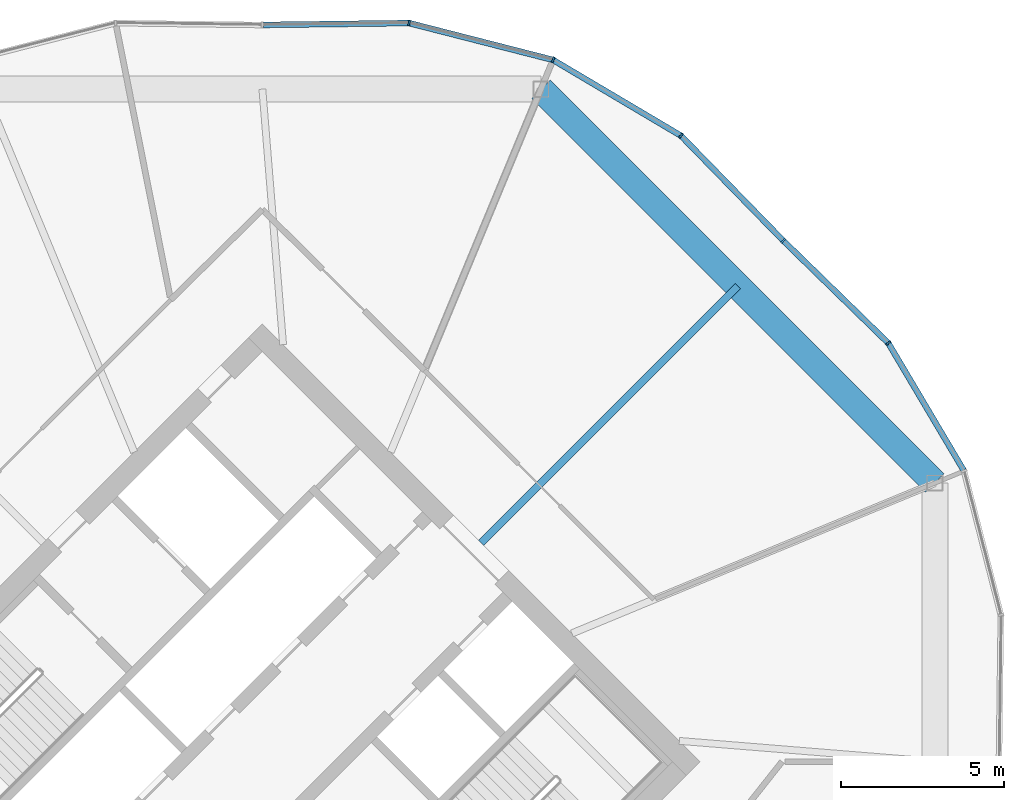
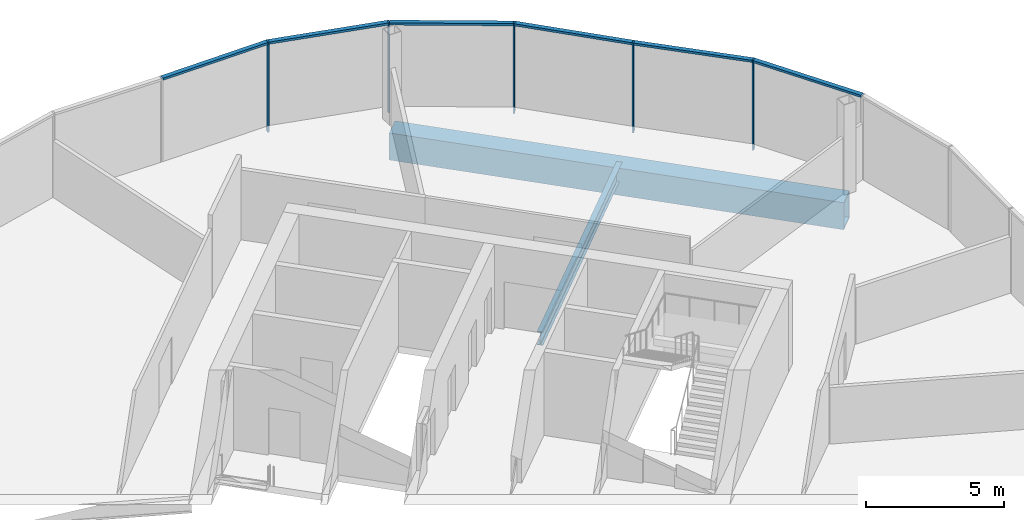
# One storey, part 17 of 26: 11 members, 2 beams, 2 elements without a shape of their own.
"""IFC4 building model written with IfcOpenShell, lengths in metres."""

from ifc_helpers import new_model, si_unit, direction, frame, origin, origin_2d, place, context, subcontext, project, spatial, rectangle, hollow_rectangle, i_section, extrude, material, material_profile, profile_set, type_object, element, aggregate, save


model = new_model("IFC4")

# Units and contexts
model_context = context("Model", 3, precision=1e-05, world=origin(), true_north=direction((0.0, 1.0)))
body_context = subcontext(model_context, "Body", "Model", "MODEL_VIEW")
ifc_project = project(units=[si_unit("LENGTHUNIT", "METRE"), si_unit("AREAUNIT", "SQUARE_METRE"), si_unit("VOLUMEUNIT", "CUBIC_METRE"), si_unit("PLANEANGLEUNIT", "RADIAN"), si_unit("MASSUNIT", "GRAM", prefix="KILO")], contexts=[model_context])

# Site, building, storey
site_placement = place(None, origin())
site = spatial("IfcSite", under=ifc_project, at=site_placement, CompositionType="ELEMENT")
building_placement = place(site_placement, origin())
building = spatial("IfcBuilding", under=site, at=building_placement, Name="Ogive Gate Towers", CompositionType="ELEMENT")
storey_placement = place(building_placement, frame((0.0, 0.0, 148.800048828125)))
storey = spatial("IfcBuildingStorey", under=building, at=storey_placement, Name="L35", CompositionType="ELEMENT", Elevation=148.800048828125)

# Beams
ifc_material_1 = material(Name="Steel SM460", Category="steel")
ifc_material_profile_1 = material_profile(ifc_material_1, hollow_rectangle(XDim=0.800048828125, YDim=1.199951171875, WallThickness=0.050048828125, at=origin_2d()), Name="BX 1200x800x50")
ifc_profile_set_1 = profile_set([ifc_material_profile_1], Name="Steel SM460")
beam_type_1 = type_object("IfcBeamType", Name="Edge girder BX 1200x800x50", PredefinedType="BEAM", material=ifc_profile_set_1)
beam_1_placement = place(storey_placement, frame((56.639404296875, 8.549072265625, -0.900146484375), z_axis=(-0.707106781187, 0.707106781187, 0.0), x_axis=(-0.707106781187, -0.707106781187, 0.0)))
element("IfcBeam", 1, at=beam_1_placement, inside=storey, type_object=beam_type_1, Name="T2/L35/SBM021", PredefinedType="BEAM", context=body_context, shape_type="SweptSolid", body=[
    extrude(hollow_rectangle(XDim=0.800048828125, YDim=1.199951171875, WallThickness=0.050048828125, at=origin_2d()), origin(), (0.0, 0.0, 1.0), 17.098388671875),
])
ifc_material_2 = material(Name="Steel SM355", Category="steel")
ifc_material_profile_2 = material_profile(ifc_material_2, i_section(OverallWidth=0.219970703125, OverallDepth=0.60009765625, WebThickness=0.011962890625, FlangeThickness=0.01904296875, FilletRadius=0.02392578125, at=origin_2d()), Name="IPE 600")
ifc_profile_set_2 = profile_set([ifc_material_profile_2], Name="Steel SM355")
beam_type_2 = type_object("IfcBeamType", Name="Radial floor beam IPE 600", PredefinedType="BEAM", material=ifc_profile_set_2)
beam_2_placement = place(storey_placement, frame((42.717529296875, 6.717529296875, -0.60009765625), z_axis=(0.707106781187, 0.707106781187, 0.0), x_axis=(-0.707106781187, 0.707106781187, 0.0)))
element("IfcBeam", 2, at=beam_2_placement, inside=storey, type_object=beam_type_2, Name="T2/L35/SBM010", PredefinedType="BEAM", context=body_context, shape_type="SweptSolid", body=[
    extrude(i_section(OverallWidth=0.219970703125, OverallDepth=0.60009765625, WebThickness=0.011962890625, FlangeThickness=0.01904296875, FilletRadius=0.02392578125, at=origin_2d()), origin(), (0.0, 0.0, 1.0), 11.139404296875),
])

# Curtain wall, members
ifc_material_3 = material(Name="Pale metal aluminium", Category="aluminium")
curtain_wall_type = type_object("IfcCurtainWallType", Name="Tower unitised wall, high zone", PredefinedType="NOTDEFINED", material=ifc_material_3)
curtain_wall_1_placement = place(storey_placement, origin())
curtain_wall_1 = element("IfcCurtainWall", 3, at=curtain_wall_1_placement, inside=storey, type_object=curtain_wall_type, Name="CW2 T2 ECW01", PredefinedType="NOTDEFINED")
ifc_material_profile_3 = material_profile(ifc_material_3, rectangle(XDim=0.179931640625, YDim=0.06005859375, at=origin_2d()), Name="60 x 180 aluminium box")
ifc_profile_set_3 = profile_set([ifc_material_profile_3], Name="Pale metal aluminium")
member_type_1 = type_object("IfcMemberType", Name="Tower unitised wall, high zone mullion 60 x 180", PredefinedType="MULLION", material=ifc_profile_set_3)
member_1_placement = place(storey_placement, frame((55.2119140625, 12.845458984375, -0.300048828125), z_axis=(0.0, 0.0, 1.0), x_axis=(0.78599718536, 0.618230074168, 0.0)))
member_1 = element("IfcMember", 4, at=member_1_placement, type_object=member_type_1, Name="CW2 mullion", PredefinedType="MULLION", context=body_context, shape_type="SweptSolid", body=[
    extrude(rectangle(XDim=0.179931640625, YDim=0.06005859375, at=origin_2d()), origin(), (0.0, 0.0, 1.0), 4.0),
])
member_2_placement = place(storey_placement, frame((51.98779296875, 15.987548828125, -0.300048828125), z_axis=(0.0, 0.0, 1.0), x_axis=(0.697977963337, 0.716119237764, 0.0)))
member_2 = element("IfcMember", 5, at=member_2_placement, type_object=member_type_1, Name="CW2 mullion", PredefinedType="MULLION", context=body_context, shape_type="SweptSolid", body=[
    extrude(rectangle(XDim=0.179931640625, YDim=0.06005859375, at=origin_2d()), origin(), (0.0, 0.0, 1.0), 4.0),
])

curtain_wall_2_placement = place(storey_placement, origin())
curtain_wall_2 = element("IfcCurtainWall", 6, at=curtain_wall_2_placement, inside=storey, type_object=curtain_wall_type, Name="CW2 T2 ECW02", PredefinedType="NOTDEFINED")
member_3_placement = place(storey_placement, frame((48.845458984375, 19.2119140625, -0.300048828125), z_axis=(0.0, 0.0, 1.0), x_axis=(0.618230074168, 0.78599718536, 0.0)))
member_3 = element("IfcMember", 7, at=member_3_placement, type_object=member_type_1, Name="CW2 mullion", PredefinedType="MULLION", context=body_context, shape_type="SweptSolid", body=[
    extrude(rectangle(XDim=0.179931640625, YDim=0.06005859375, at=origin_2d()), origin(), (0.0, 0.0, 1.0), 4.0),
])
member_4_placement = place(storey_placement, frame((44.9208984375, 21.53662109375, -0.300048828125), z_axis=(0.0, 0.0, 1.0), x_axis=(0.382683432365, 0.923879532511, 0.0)))
member_4 = element("IfcMember", 8, at=member_4_placement, type_object=member_type_1, Name="CW2 mullion", PredefinedType="MULLION", context=body_context, shape_type="SweptSolid", body=[
    extrude(rectangle(XDim=0.179931640625, YDim=0.06005859375, at=origin_2d()), origin(), (0.0, 0.0, 1.0), 4.0),
])
member_5_placement = place(storey_placement, frame((40.501708984375, 22.66796875, -0.300048828125), z_axis=(0.0, 0.0, 1.0), x_axis=(0.118611931918, 0.992940687859, 0.0)))
member_5 = element("IfcMember", 9, at=member_5_placement, type_object=member_type_1, Name="CW2 mullion", PredefinedType="MULLION", context=body_context, shape_type="SweptSolid", body=[
    extrude(rectangle(XDim=0.179931640625, YDim=0.06005859375, at=origin_2d()), origin(), (0.0, 0.0, 1.0), 4.0),
])

# Member
ifc_material_profile_4 = material_profile(ifc_material_3, rectangle(XDim=0.179931640625, YDim=0.10009765625, at=origin_2d()), Name="100 x 180 aluminium box")
ifc_profile_set_4 = profile_set([ifc_material_profile_4], Name="Pale metal aluminium")
member_type_2 = type_object("IfcMemberType", Name="Tower unitised wall, high zone transom 100 x 180", PredefinedType="USERDEFINED", material=ifc_profile_set_4)
member_6_placement = place(storey_placement, frame((57.52197265625, 8.9453125, 3.64990234375), z_axis=(-0.509649354625, 0.860382203053, 0.0), x_axis=(-0.860382203053, -0.509649354625, 0.0)))
member_6 = element("IfcMember", 10, at=member_6_placement, type_object=member_type_2, Name="CW2 transom", ObjectType="TRANSOM", PredefinedType="USERDEFINED", context=body_context, shape_type="SweptSolid", body=[
    extrude(rectangle(XDim=0.179931640625, YDim=0.10009765625, at=origin_2d()), origin(), (0.0, 0.0, 1.0), 4.50439453125),
])

member_7_placement = place(storey_placement, frame((55.191162109375, 12.865478515625, 3.64990234375), z_axis=(-0.716114793558, 0.697982523024, 0.0), x_axis=(-0.697982523024, -0.716114793558, 0.0)))
member_7 = element("IfcMember", 11, at=member_7_placement, type_object=member_type_2, Name="CW2 transom", ObjectType="TRANSOM", PredefinedType="USERDEFINED", context=body_context, shape_type="SweptSolid", body=[
    extrude(rectangle(XDim=0.179931640625, YDim=0.10009765625, at=origin_2d()), origin(), (0.0, 0.0, 1.0), 4.443359375),
])

aggregate(curtain_wall_1, [member_1, member_6, member_2, member_7])

member_8_placement = place(storey_placement, frame((51.966796875, 16.00927734375, 3.64990234375), z_axis=(-0.697982523024, 0.716114793558, 0.0), x_axis=(-0.716114793558, -0.697982523024, 0.0)))
member_8 = element("IfcMember", 12, at=member_8_placement, type_object=member_type_2, Name="CW2 transom", ObjectType="TRANSOM", PredefinedType="USERDEFINED", context=body_context, shape_type="SweptSolid", body=[
    extrude(rectangle(XDim=0.179931640625, YDim=0.10009765625, at=origin_2d()), origin(), (0.0, 0.0, 1.0), 4.443359375),
])

member_9_placement = place(storey_placement, frame((48.82080078125, 19.226318359375, 3.64990234375), z_axis=(-0.860382203053, 0.509649354625, 0.0), x_axis=(-0.509649354625, -0.860382203053, 0.0)))
member_9 = element("IfcMember", 13, at=member_9_placement, type_object=member_type_2, Name="CW2 transom", ObjectType="TRANSOM", PredefinedType="USERDEFINED", context=body_context, shape_type="SweptSolid", body=[
    extrude(rectangle(XDim=0.179931640625, YDim=0.10009765625, at=origin_2d()), origin(), (0.0, 0.0, 1.0), 4.50439453125),
])

member_10_placement = place(storey_placement, frame((44.89306640625, 21.543701171875, 3.64990234375), z_axis=(-0.968765769821, 0.247977586132, 0.0), x_axis=(-0.247977586132, -0.968765769821, 0.0)))
member_10 = element("IfcMember", 14, at=member_10_placement, type_object=member_type_2, Name="CW2 transom", ObjectType="TRANSOM", PredefinedType="USERDEFINED", context=body_context, shape_type="SweptSolid", body=[
    extrude(rectangle(XDim=0.179931640625, YDim=0.10009765625, at=origin_2d()), origin(), (0.0, 0.0, 1.0), 4.504150390625),
])

member_11_placement = place(storey_placement, frame((40.472900390625, 22.66748046875, 3.64990234375), z_axis=(-0.999917339021, -0.012857492984, 0.0), x_axis=(0.012857492984, -0.999917339021, 0.0)))
member_11 = element("IfcMember", 15, at=member_11_placement, type_object=member_type_2, Name="CW2 transom", ObjectType="TRANSOM", PredefinedType="USERDEFINED", context=body_context, shape_type="SweptSolid", body=[
    extrude(rectangle(XDim=0.179931640625, YDim=0.10009765625, at=origin_2d()), origin(), (0.0, 0.0, 1.0), 4.443359375),
])

aggregate(curtain_wall_2, [member_3, member_8, member_4, member_9, member_5, member_10, member_11])

save(model, "model.ifc")
